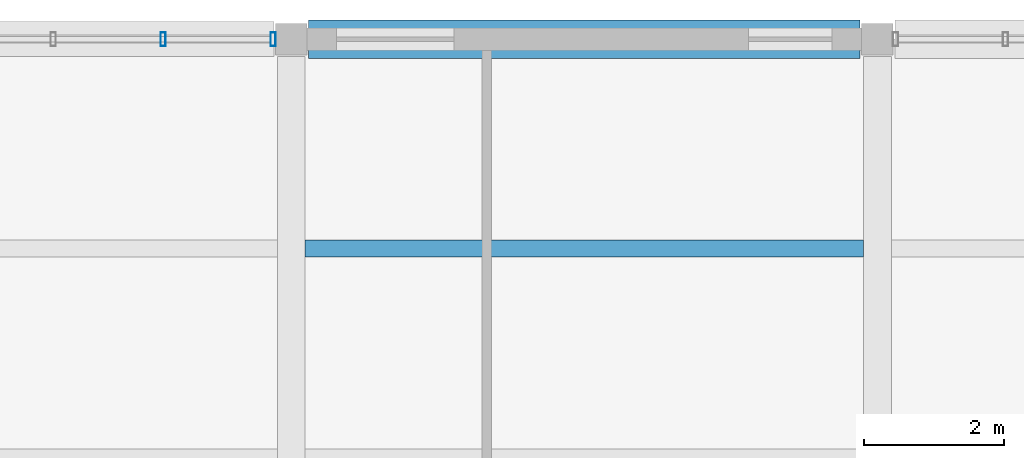
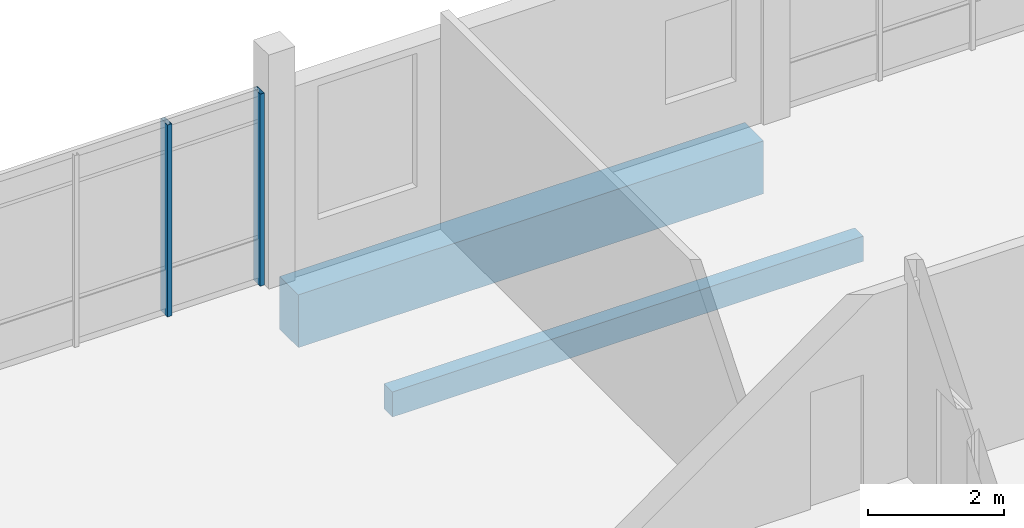
# One storey, part 39 of 62: 2 beams, 2 members, 1 element without a shape of its own.
"""IFC4 building model written with IfcOpenShell, lengths in metres."""

from ifc_helpers import new_model, si_unit, direction, frame, origin, origin_2d, place, context, subcontext, project, spatial, rectangle, hollow_rectangle, extrude, material, layer, layer_set, material_profile, profile_set, type_object, element, aggregate, save


model = new_model("IFC4")

# Units and contexts
model_context = context("Model", 3, precision=1e-05, world=origin(), true_north=direction((0.0, 1.0)))
body_context = subcontext(model_context, "Body", "Model", "MODEL_VIEW")
ifc_project = project(units=[si_unit("LENGTHUNIT", "METRE"), si_unit("AREAUNIT", "SQUARE_METRE"), si_unit("VOLUMEUNIT", "CUBIC_METRE"), si_unit("PLANEANGLEUNIT", "RADIAN"), si_unit("MASSUNIT", "GRAM", prefix="KILO")], contexts=[model_context])

# Site, building, storey
site_placement = place(None, origin())
site = spatial("IfcSite", under=ifc_project, at=site_placement, CompositionType="ELEMENT")
building_placement = place(site_placement, origin())
building = spatial("IfcBuilding", under=site, at=building_placement, Name="Vireocrest Preparatory School", CompositionType="ELEMENT")
storey_placement = place(building_placement, frame((0.0, 0.0, 17.39990234375)))
storey = spatial("IfcBuildingStorey", under=building, at=storey_placement, Name="L04", CompositionType="ELEMENT", Elevation=17.39990234375)

# Curtain wall, members
ifc_material_1 = material(Name="Thermally broken aluminium EN AW-6063-T6", Category="aluminium")
ifc_layer = layer(ifc_material_1, 0.179931640625)
ifc_layer_set = layer_set([ifc_layer], Name="Thermally broken aluminium EN AW-6063-T6")
curtain_wall_type = type_object("IfcCurtainWallType", Name="North Street Curtain Wall 8400x4000", PredefinedType="USERDEFINED", material=ifc_layer_set)
curtain_wall_placement = place(storey_placement, origin())
curtain_wall = element("IfcCurtainWall", 1, at=curtain_wall_placement, inside=storey, type_object=curtain_wall_type, Name="Curtain Wall CW05 CW_L04_CW05_0590_1128_174", ObjectType="CURTAIN WALL", PredefinedType="USERDEFINED")
ifc_material_profile_1 = material_profile(ifc_material_1, hollow_rectangle(XDim=0.074951171875, YDim=0.199951171875, WallThickness=0.0048828125, at=origin_2d()), Name="ALU 75x200x5")
ifc_profile_set_1 = profile_set([ifc_material_profile_1], Name="Thermally broken aluminium EN AW-6063-T6")
member_type = type_object("IfcMemberType", Name="CW Mullion 75x200x5", PredefinedType="MULLION", material=ifc_profile_set_1)
member_1_placement = place(storey_placement, frame((65.364013671875, 112.800048828125, 0.0), z_axis=(0.0, 0.0, 1.0), x_axis=(1.0, 0.0, 0.0)))
member_1 = element("IfcMember", 2, at=member_1_placement, type_object=member_type, Name="CW Mullion ML3 CW_L04_CW05_0590_1128_174-5", PredefinedType="MULLION", context=body_context, shape_type="SweptSolid", body=[
    extrude(hollow_rectangle(XDim=0.074951171875, YDim=0.199951171875, WallThickness=0.0048828125, at=origin_2d()), origin(), (0.0, 0.0, 1.0), 3.445068359375),
])
member_2_placement = place(storey_placement, frame((66.93994140625, 112.800048828125, 0.0), z_axis=(0.0, 0.0, 1.0), x_axis=(1.0, 0.0, 0.0)))
member_2 = element("IfcMember", 3, at=member_2_placement, type_object=member_type, Name="CW Mullion ML3 CW_L04_CW05_0590_1128_174-6", PredefinedType="MULLION", context=body_context, shape_type="SweptSolid", body=[
    extrude(hollow_rectangle(XDim=0.074951171875, YDim=0.199951171875, WallThickness=0.0048828125, at=origin_2d()), origin(), (0.0, 0.0, 1.0), 3.445068359375),
])
aggregate(curtain_wall, [member_1, member_2])

# Beams
ifc_material_2 = material(Name="Concrete 40 MPa", Category="concrete")
ifc_material_profile_2 = material_profile(ifc_material_2, rectangle(XDim=0.25, YDim=0.449951171875, at=origin_2d()), Name="RC 250x450")
ifc_profile_set_2 = profile_set([ifc_material_profile_2], Name="Concrete 40 MPa")
beam_type_1 = type_object("IfcBeamType", Name="RC Secondary Floor Joist 250x450", PredefinedType="JOIST", material=ifc_profile_set_2)
beam_1_placement = place(storey_placement, frame((67.39990234375, 109.800048828125, -0.46484375), z_axis=(1.0, 0.0, 0.0), x_axis=(0.0, 1.0, 0.0)))
element("IfcBeam", 4, at=beam_1_placement, inside=storey, type_object=beam_type_1, Name="Secondary Joist J01 L04-1472", PredefinedType="JOIST", context=body_context, shape_type="SweptSolid", body=[
    extrude(rectangle(XDim=0.25, YDim=0.449951171875, at=origin_2d()), origin(), (0.0, 0.0, 1.0), 8.0),
])
ifc_material_profile_3 = material_profile(ifc_material_2, rectangle(XDim=0.550048828125, YDim=0.949951171875, at=origin_2d()), Name="RC 550x950")
ifc_profile_set_3 = profile_set([ifc_material_profile_3], Name="Concrete 40 MPa")
beam_type_2 = type_object("IfcBeamType", Name="RC Setback Edge Girder 550x950", PredefinedType="BEAM", material=ifc_profile_set_3)
beam_2_placement = place(storey_placement, frame((67.449951171875, 112.800048828125, -0.71484375), z_axis=(1.0, 0.0, 0.0), x_axis=(0.0, 1.0, 0.0)))
element("IfcBeam", 5, at=beam_2_placement, inside=storey, type_object=beam_type_2, Name="Primary Girder B17 L04-1347", PredefinedType="BEAM", context=body_context, shape_type="SweptSolid", body=[
    extrude(rectangle(XDim=0.550048828125, YDim=0.949951171875, at=origin_2d()), origin(), (0.0, 0.0, 1.0), 7.900146484375),
])

save(model, "model.ifc")
